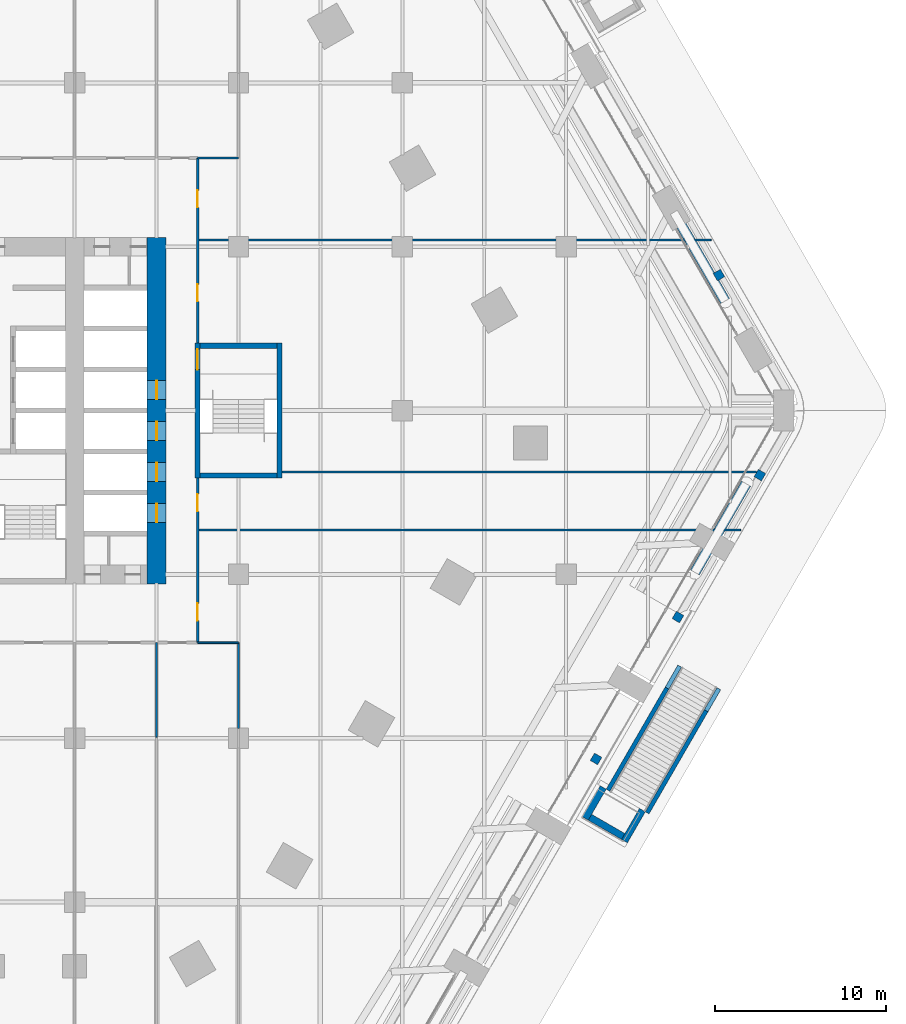
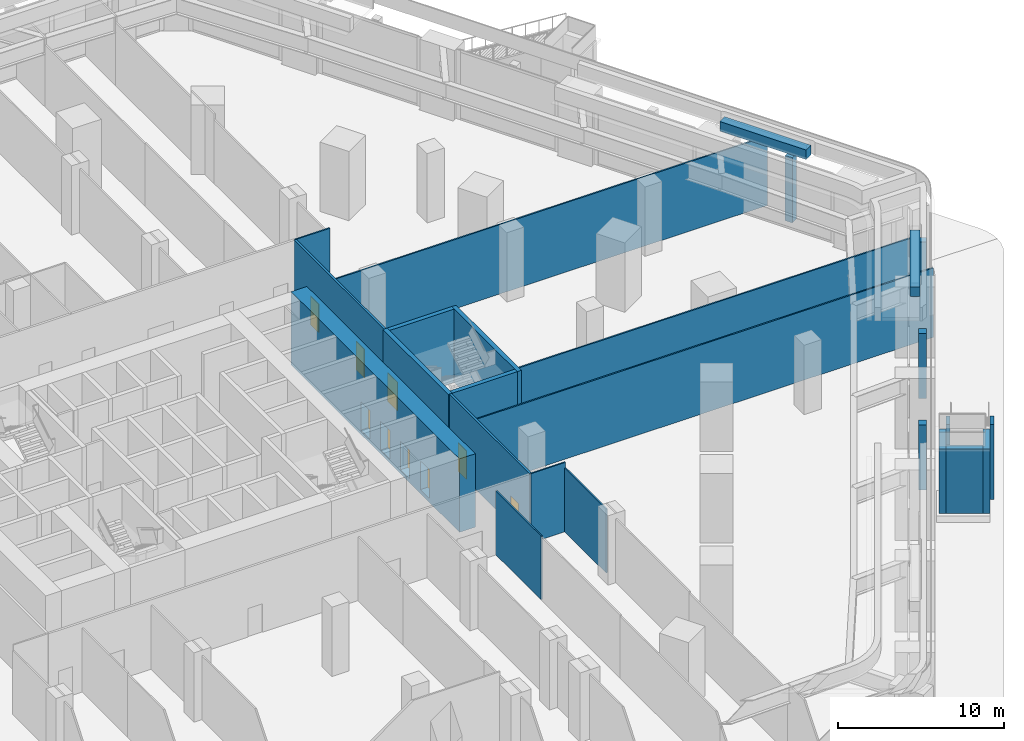
# One storey, part 22 of 34: 25 walls, 9 doors, 9 openings.
"""IFC4 building model written with IfcOpenShell, lengths in metres."""

from ifc_helpers import new_model, si_unit, direction, frame, frame_2d, origin, place, context, subcontext, project, spatial, polyline, rectangle, outline, extrude, material, layer, layer_set, type_object, element, fill, save


model = new_model("IFC4")

# Units and contexts
model_context = context("Model", 3, precision=1e-05, world=origin(), true_north=direction((0.0, 1.0)))
body_context = subcontext(model_context, "Body", "Model", "MODEL_VIEW")
ifc_project = project(units=[si_unit("LENGTHUNIT", "METRE"), si_unit("AREAUNIT", "SQUARE_METRE"), si_unit("VOLUMEUNIT", "CUBIC_METRE"), si_unit("PLANEANGLEUNIT", "RADIAN"), si_unit("MASSUNIT", "GRAM", prefix="KILO")], contexts=[model_context])

# Site, building, storey
site_placement = place(None, origin())
site = spatial("IfcSite", under=ifc_project, at=site_placement, CompositionType="ELEMENT")
building_placement = place(site_placement, origin())
building = spatial("IfcBuilding", under=site, at=building_placement, Name="Kolab Exchange Tower", CompositionType="ELEMENT")
storey_placement = place(building_placement, frame((0.0, 0.0, 7.0)))
storey = spatial("IfcBuildingStorey", under=building, at=storey_placement, Name="L01", CompositionType="ELEMENT", Elevation=7.0)

# Wall, openings, doors
ifc_material_1 = material(Name="Concrete C80/95", Category="concrete")
ifc_layer_1 = layer(ifc_material_1, 1.10009765625)
ifc_layer_set_1 = layer_set([ifc_layer_1], Name="Concrete C80/95")
wall_type_1 = type_object("IfcWallType", Name="CORE WALL 1100 C80/95", PredefinedType="SHEAR", material=ifc_layer_set_1)
wall_1_placement = place(storey_placement, frame((14.39990234375, -10.14990234375, -0.300048828125), z_axis=(0.0, 0.0, 1.0), x_axis=(0.0, 1.0, 0.0)))
wall_1 = element("IfcWall", 1, at=wall_1_placement, inside=storey, type_object=wall_type_1, Name="wall/L01/core/081", PredefinedType="SHEAR", context=body_context, shape_type="SweptSolid", body=[
    extrude(rectangle(XDim=20.2998046875, YDim=1.10009765625, at=frame_2d((10.14990234375, 0.0))), origin(), (0.0, 0.0, 1.0), 5.400146484375),
])
opening_1_placement = place(wall_1_placement, frame((3.60009765625, 0.0, 0.300048828125)))
opening_1 = element("IfcOpeningElement", 2, at=opening_1_placement, cuts=wall_1, Name="Opening LD1-013", PredefinedType="OPENING", context=body_context, shape_type="SweptSolid", body=[
    extrude(rectangle(XDim=1.10009765625, YDim=2.10009765625, at=frame_2d((0.550048828125, 1.050048828125))), frame((0.0, 0.56005859375, 0.0), z_axis=(0.0, -1.0, 0.0), x_axis=(1.0, 0.0, 0.0)), (0.0, 0.0, 1.0), 1.1201171875),
])
opening_2_placement = place(wall_1_placement, frame((6.0, 0.0, 0.300048828125)))
opening_2 = element("IfcOpeningElement", 3, at=opening_2_placement, cuts=wall_1, Name="Opening LD1-014", PredefinedType="OPENING", context=body_context, shape_type="SweptSolid", body=[
    extrude(rectangle(XDim=1.10009765625, YDim=2.10009765625, at=frame_2d((0.550048828125, 1.050048828125))), frame((0.0, 0.56005859375, 0.0), z_axis=(0.0, -1.0, 0.0), x_axis=(1.0, 0.0, 0.0)), (0.0, 0.0, 1.0), 1.1201171875),
])
opening_3_placement = place(wall_1_placement, frame((8.39990234375, 0.0, 0.300048828125)))
opening_3 = element("IfcOpeningElement", 4, at=opening_3_placement, cuts=wall_1, Name="Opening LD1-015", PredefinedType="OPENING", context=body_context, shape_type="SweptSolid", body=[
    extrude(rectangle(XDim=1.10009765625, YDim=2.10009765625, at=frame_2d((0.550048828125, 1.050048828125))), frame((0.0, 0.56005859375, 0.0), z_axis=(0.0, -1.0, 0.0), x_axis=(1.0, 0.0, 0.0)), (0.0, 0.0, 1.0), 1.1201171875),
])
opening_4_placement = place(wall_1_placement, frame((10.800048828125, 0.0, 0.300048828125)))
opening_4 = element("IfcOpeningElement", 5, at=opening_4_placement, cuts=wall_1, Name="Opening LD1-016", PredefinedType="OPENING", context=body_context, shape_type="SweptSolid", body=[
    extrude(rectangle(XDim=1.10009765625, YDim=2.10009765625, at=frame_2d((0.550048828125, 1.050048828125))), frame((0.0, 0.56005859375, 0.0), z_axis=(0.0, -1.0, 0.0), x_axis=(1.0, 0.0, 0.0)), (0.0, 0.0, 1.0), 1.1201171875),
])
ifc_material_2 = material(Name="Stainless steel 316", Category="steel")
door_type_1 = type_object("IfcDoorType", Name="LANDING DOOR 1100 PASSENGER", OperationType="DOUBLE_DOOR_SLIDING", PredefinedType="DOOR", material=ifc_material_2)
door_1_placement = place(opening_1_placement, origin())
door_1 = element("IfcDoor", 6, at=door_1_placement, inside=storey, type_object=door_type_1, Name="Landing door LR1", OperationType="DOUBLE_DOOR_SLIDING", OverallHeight=2.10009765625, OverallWidth=1.10009765625, PredefinedType="DOOR", context=body_context, shape_type="SweptSolid", body=[
    extrude(rectangle(XDim=1.10009765625, YDim=2.10009765625, at=frame_2d((0.550048828125, 1.050048828125))), frame((0.0, 0.02490234375, 0.0), z_axis=(0.0, -1.0, 0.0), x_axis=(1.0, 0.0, 0.0)), (0.0, 0.0, 1.0), 0.050048828125),
])
fill(opening_1, door_1)
door_2_placement = place(opening_2_placement, origin())
door_2 = element("IfcDoor", 7, at=door_2_placement, inside=storey, type_object=door_type_1, Name="Landing door LR2", OperationType="DOUBLE_DOOR_SLIDING", OverallHeight=2.10009765625, OverallWidth=1.10009765625, PredefinedType="DOOR", context=body_context, shape_type="SweptSolid", body=[
    extrude(rectangle(XDim=1.10009765625, YDim=2.10009765625, at=frame_2d((0.550048828125, 1.050048828125))), frame((0.0, 0.02490234375, 0.0), z_axis=(0.0, -1.0, 0.0), x_axis=(1.0, 0.0, 0.0)), (0.0, 0.0, 1.0), 0.050048828125),
])
fill(opening_2, door_2)
door_3_placement = place(opening_3_placement, origin())
door_3 = element("IfcDoor", 8, at=door_3_placement, inside=storey, type_object=door_type_1, Name="Landing door LR3", OperationType="DOUBLE_DOOR_SLIDING", OverallHeight=2.10009765625, OverallWidth=1.10009765625, PredefinedType="DOOR", context=body_context, shape_type="SweptSolid", body=[
    extrude(rectangle(XDim=1.10009765625, YDim=2.10009765625, at=frame_2d((0.550048828125, 1.050048828125))), frame((0.0, 0.02490234375, 0.0), z_axis=(0.0, -1.0, 0.0), x_axis=(1.0, 0.0, 0.0)), (0.0, 0.0, 1.0), 0.050048828125),
])
fill(opening_3, door_3)
door_4_placement = place(opening_4_placement, origin())
door_4 = element("IfcDoor", 9, at=door_4_placement, inside=storey, type_object=door_type_1, Name="Landing door LR4", OperationType="DOUBLE_DOOR_SLIDING", OverallHeight=2.10009765625, OverallWidth=1.10009765625, PredefinedType="DOOR", context=body_context, shape_type="SweptSolid", body=[
    extrude(rectangle(XDim=1.10009765625, YDim=2.10009765625, at=frame_2d((0.550048828125, 1.050048828125))), frame((0.0, 0.02490234375, 0.0), z_axis=(0.0, -1.0, 0.0), x_axis=(1.0, 0.0, 0.0)), (0.0, 0.0, 1.0), 0.050048828125),
])
fill(opening_4, door_4)

# Walls
ifc_material_3 = material(Name="Gypsum board", Category="gypsum")
ifc_layer_2 = layer(ifc_material_3, 0.10009765625)
ifc_layer_set_2 = layer_set([ifc_layer_2], Name="Gypsum board")
wall_type_2 = type_object("IfcWallType", Name="PARTITION 100", PredefinedType="PARTITIONING", material=ifc_layer_set_2)
wall_2_placement = place(storey_placement, frame((19.199951171875, -18.639892578125, 0.0), z_axis=(0.0, 0.0, 1.0), x_axis=(0.0, 1.0, 0.0)))
element("IfcWall", 10, at=wall_2_placement, inside=storey, type_object=wall_type_2, Name="Partition 000", PredefinedType="PARTITIONING", context=body_context, shape_type="SweptSolid", body=[
    extrude(rectangle(XDim=5.039794921875, YDim=0.10009765625, at=frame_2d((2.52001953125, 0.0))), origin(), (0.0, 0.0, 1.0), 4.693115234375),
])
wall_3_placement = place(storey_placement, frame((14.39990234375, -19.1259765625, 0.0), z_axis=(0.0, 0.0, 1.0), x_axis=(0.0, 1.0, 0.0)))
element("IfcWall", 11, at=wall_3_placement, inside=storey, type_object=wall_type_2, Name="Partition 004", PredefinedType="PARTITIONING", context=body_context, shape_type="SweptSolid", body=[
    extrude(rectangle(XDim=5.52587890625, YDim=0.10009765625, at=frame_2d((2.762939453125, 0.0))), origin(), (0.0, 0.0, 1.0), 4.693115234375),
])
wall_4_placement = place(storey_placement, frame((16.800048828125, -13.60009765625, 0.0), z_axis=(0.0, 0.0, 1.0), x_axis=(1.0, 0.0, 0.0)))
element("IfcWall", 12, at=wall_4_placement, inside=storey, type_object=wall_type_2, Name="Partition 026", PredefinedType="PARTITIONING", context=body_context, shape_type="SweptSolid", body=[
    extrude(rectangle(XDim=2.39990234375, YDim=0.10009765625, at=frame_2d((1.199951171875, 0.0))), origin(), (0.0, 0.0, 1.0), 5.10009765625),
])
wall_5_placement = place(storey_placement, frame((16.800048828125, -7.0, 0.0), z_axis=(0.0, 0.0, 1.0), x_axis=(1.0, 0.0, 0.0)))
element("IfcWall", 13, at=wall_5_placement, inside=storey, type_object=wall_type_2, Name="Partition 029", PredefinedType="PARTITIONING", context=body_context, shape_type="SweptSolid", body=[
    extrude(rectangle(XDim=31.820068359375, YDim=0.10009765625, at=frame_2d((15.91015625, 0.0))), origin(), (0.0, 0.0, 1.0), 5.10009765625),
])
wall_6_placement = place(storey_placement, frame((21.75, -3.60009765625, 0.0), z_axis=(0.0, 0.0, 1.0), x_axis=(1.0, 0.0, 0.0)))
element("IfcWall", 14, at=wall_6_placement, inside=storey, type_object=wall_type_2, Name="Partition 032", PredefinedType="PARTITIONING", context=body_context, shape_type="SweptSolid", body=[
    extrude(rectangle(XDim=27.7880859375, YDim=0.10009765625, at=frame_2d((13.89404296875, 0.0))), origin(), (0.0, 0.0, 1.0), 5.10009765625),
])
wall_7_placement = place(storey_placement, frame((16.800048828125, 10.0, 0.0), z_axis=(0.0, 0.0, 1.0), x_axis=(1.0, 0.0, 0.0)))
element("IfcWall", 15, at=wall_7_placement, inside=storey, type_object=wall_type_2, Name="Partition 035", PredefinedType="PARTITIONING", context=body_context, shape_type="SweptSolid", body=[
    extrude(rectangle(XDim=30.087890625, YDim=0.10009765625, at=frame_2d((15.0439453125, 0.0))), origin(), (0.0, 0.0, 1.0), 5.10009765625),
])
wall_8_placement = place(storey_placement, frame((16.800048828125, 14.800048828125, 0.0), z_axis=(0.0, 0.0, 1.0), x_axis=(1.0, 0.0, 0.0)))
element("IfcWall", 16, at=wall_8_placement, inside=storey, type_object=wall_type_2, Name="Partition 037", PredefinedType="PARTITIONING", context=body_context, shape_type="SweptSolid", body=[
    extrude(rectangle(XDim=2.39990234375, YDim=0.10009765625, at=frame_2d((1.199951171875, 0.0))), origin(), (0.0, 0.0, 1.0), 5.10009765625),
])

# Wall, openings, doors
ifc_layer_3 = layer(ifc_material_3, 0.14990234375)
ifc_layer_set_3 = layer_set([ifc_layer_3], Name="Gypsum board")
wall_type_3 = type_object("IfcWallType", Name="PARTITION 150 FIRE-RATED", PredefinedType="PARTITIONING", material=ifc_layer_set_3)
wall_9_placement = place(storey_placement, frame((16.800048828125, -13.60009765625, 0.0), z_axis=(0.0, 0.0, 1.0), x_axis=(0.0, 1.0, 0.0)))
wall_9 = element("IfcWall", 17, at=wall_9_placement, inside=storey, type_object=wall_type_3, Name="Partition 002", PredefinedType="PARTITIONING", context=body_context, shape_type="SweptSolid", body=[
    extrude(rectangle(XDim=9.650146484375, YDim=0.14990234375, at=frame_2d((4.8251953125, 0.0))), origin(), (0.0, 0.0, 1.0), 5.10009765625),
])
opening_5_placement = place(wall_9_placement, frame((1.300048828125, 0.0, 0.0)))
opening_5 = element("IfcOpeningElement", 18, at=opening_5_placement, cuts=wall_9, Name="Opening D1-021", PredefinedType="OPENING", context=body_context, shape_type="SweptSolid", body=[
    extrude(rectangle(XDim=1.0, YDim=2.10009765625, at=frame_2d((0.5, 1.050048828125))), frame((0.0, 0.0849609375, 0.0), z_axis=(0.0, -1.0, 0.0), x_axis=(1.0, 0.0, 0.0)), (0.0, 0.0, 1.0), 0.169921875),
])
opening_6_placement = place(wall_9_placement, frame((7.699951171875, 0.0, 0.0)))
opening_6 = element("IfcOpeningElement", 19, at=opening_6_placement, cuts=wall_9, Name="Opening D1-022", PredefinedType="OPENING", context=body_context, shape_type="SweptSolid", body=[
    extrude(rectangle(XDim=1.0, YDim=2.10009765625, at=frame_2d((0.5, 1.050048828125))), frame((0.0, 0.0849609375, 0.0), z_axis=(0.0, -1.0, 0.0), x_axis=(1.0, 0.0, 0.0)), (0.0, 0.0, 1.0), 0.169921875),
])
ifc_material_4 = material(Name="Steel S235", Category="steel")
door_type_2 = type_object("IfcDoorType", Name="FLUSH DOOR 1000 FD60", OperationType="SINGLE_SWING_LEFT", PredefinedType="DOOR", material=ifc_material_4)
door_5_placement = place(opening_5_placement, frame((1.0, 0.0, 0.0), z_axis=(0.0, 0.0, 1.0), x_axis=(-1.0, 0.0, 0.0)))
door_5 = element("IfcDoor", 20, at=door_5_placement, inside=storey, type_object=door_type_2, Name="Door L01-061", OperationType="SINGLE_SWING_LEFT", OverallHeight=2.10009765625, OverallWidth=1.0, PredefinedType="DOOR", context=body_context, shape_type="SweptSolid", body=[
    extrude(rectangle(XDim=1.0, YDim=2.10009765625, at=frame_2d((0.5, 1.050048828125))), frame((0.0, 0.02490234375, 0.0), z_axis=(0.0, -1.0, 0.0), x_axis=(1.0, 0.0, 0.0)), (0.0, 0.0, 1.0), 0.050048828125),
])
fill(opening_5, door_5)
door_6_placement = place(opening_6_placement, frame((1.0, 0.0, 0.0), z_axis=(0.0, 0.0, 1.0), x_axis=(-1.0, 0.0, 0.0)))
door_6 = element("IfcDoor", 21, at=door_6_placement, inside=storey, type_object=door_type_2, Name="Door L01-062", OperationType="SINGLE_SWING_LEFT", OverallHeight=2.10009765625, OverallWidth=1.0, PredefinedType="DOOR", context=body_context, shape_type="SweptSolid", body=[
    extrude(rectangle(XDim=1.0, YDim=2.10009765625, at=frame_2d((0.5, 1.050048828125))), frame((0.0, 0.02490234375, 0.0), z_axis=(0.0, -1.0, 0.0), x_axis=(1.0, 0.0, 0.0)), (0.0, 0.0, 1.0), 0.050048828125),
])
fill(opening_6, door_6)

wall_10_placement = place(storey_placement, frame((16.800048828125, 3.949951171875, 0.0), z_axis=(0.0, 0.0, 1.0), x_axis=(0.0, 1.0, 0.0)))
wall_10 = element("IfcWall", 22, at=wall_10_placement, inside=storey, type_object=wall_type_3, Name="Partition 003", PredefinedType="PARTITIONING", context=body_context, shape_type="SweptSolid", body=[
    extrude(rectangle(XDim=10.85009765625, YDim=0.14990234375, at=frame_2d((5.425048828125, 0.0))), origin(), (0.0, 0.0, 1.0), 5.10009765625),
])
opening_7_placement = place(wall_10_placement, frame((2.449951171875, 0.0, 0.0)))
opening_7 = element("IfcOpeningElement", 23, at=opening_7_placement, cuts=wall_10, Name="Opening D1-023", PredefinedType="OPENING", context=body_context, shape_type="SweptSolid", body=[
    extrude(rectangle(XDim=1.0, YDim=2.10009765625, at=frame_2d((0.5, 1.050048828125))), frame((0.0, 0.0849609375, 0.0), z_axis=(0.0, -1.0, 0.0), x_axis=(1.0, 0.0, 0.0)), (0.0, 0.0, 1.0), 0.169921875),
])
opening_8_placement = place(wall_10_placement, frame((7.949951171875, 0.0, 0.0)))
opening_8 = element("IfcOpeningElement", 24, at=opening_8_placement, cuts=wall_10, Name="Opening D1-024", PredefinedType="OPENING", context=body_context, shape_type="SweptSolid", body=[
    extrude(rectangle(XDim=1.0, YDim=2.10009765625, at=frame_2d((0.5, 1.050048828125))), frame((0.0, 0.0849609375, 0.0), z_axis=(0.0, -1.0, 0.0), x_axis=(1.0, 0.0, 0.0)), (0.0, 0.0, 1.0), 0.169921875),
])
door_7_placement = place(opening_7_placement, frame((1.0, 0.0, 0.0), z_axis=(0.0, 0.0, 1.0), x_axis=(-1.0, 0.0, 0.0)))
door_7 = element("IfcDoor", 25, at=door_7_placement, inside=storey, type_object=door_type_2, Name="Door L01-063", OperationType="SINGLE_SWING_RIGHT", OverallHeight=2.10009765625, OverallWidth=1.0, PredefinedType="DOOR", context=body_context, shape_type="SweptSolid", body=[
    extrude(rectangle(XDim=1.0, YDim=2.10009765625, at=frame_2d((0.5, 1.050048828125))), frame((0.0, 0.02490234375, 0.0), z_axis=(0.0, -1.0, 0.0), x_axis=(1.0, 0.0, 0.0)), (0.0, 0.0, 1.0), 0.050048828125),
])
fill(opening_7, door_7)
door_8_placement = place(opening_8_placement, frame((1.0, 0.0, 0.0), z_axis=(0.0, 0.0, 1.0), x_axis=(-1.0, 0.0, 0.0)))
door_8 = element("IfcDoor", 26, at=door_8_placement, inside=storey, type_object=door_type_2, Name="Door L01-064", OperationType="SINGLE_SWING_LEFT", OverallHeight=2.10009765625, OverallWidth=1.0, PredefinedType="DOOR", context=body_context, shape_type="SweptSolid", body=[
    extrude(rectangle(XDim=1.0, YDim=2.10009765625, at=frame_2d((0.5, 1.050048828125))), frame((0.0, 0.02490234375, 0.0), z_axis=(0.0, -1.0, 0.0), x_axis=(1.0, 0.0, 0.0)), (0.0, 0.0, 1.0), 0.050048828125),
])
fill(opening_8, door_8)

# Walls
ifc_material_5 = material(Name="Granite facing", Category="masonry")
ifc_layer_4 = layer(ifc_material_5, 0.0400390625)
ifc_material_6 = material(Name="Concrete C40/50 precast", Category="concrete")
ifc_layer_5 = layer(ifc_material_6, 0.56005859375)
ifc_layer_set_4 = layer_set([ifc_layer_4, ifc_layer_5], Name="Concrete C40/50 precast")
wall_type_4 = type_object("IfcWallType", Name="PLANTER BOX 600 X 700 SOIL DEPTH 550", PredefinedType="USERDEFINED", material=ifc_layer_set_4)
for number, where, z_axis, x_axis, name in (
    (27, (44.707763671875, 11.615966796875, 5.39990234375), (0.0, 0.0, 1.0), (0.500007758305, -0.866020924479, 0.0), "Planter"),
    (28, (48.941162109375, -4.28369140625, 5.39990234375), (0.0, 0.0, 1.0), (-0.500007758305, -0.866020924479, 0.0), "Planter"),
):
    element("IfcWall", number, at=place(storey_placement, frame(where, z_axis=z_axis, x_axis=x_axis)), inside=storey, type_object=wall_type_4, Name=name, ObjectType="PLANTER", PredefinedType="USERDEFINED", context=body_context, shape_type="SweptSolid", body=[
        extrude(rectangle(XDim=6.0, YDim=0.60009765625, at=frame_2d((3.0, 0.0))), origin(), (0.0, 0.0, 1.0), 0.7001953125),
    ])
ifc_layer_6 = layer(ifc_material_5, 0.0400390625)
ifc_material_7 = material(Name="Concrete C40/50", Category="concrete")
ifc_layer_7 = layer(ifc_material_7, 0.2099609375)
ifc_layer_set_5 = layer_set([ifc_layer_6, ifc_layer_7], Name="Concrete C40/50")
wall_type_5 = type_object("IfcWallType", Name="STAIR CHEEK WALL 250", PredefinedType="SOLIDWALL", material=ifc_layer_set_5)
wall_11_placement = place(storey_placement, frame((47.34619140625, -16.29638671875, 0.0), z_axis=(0.0, 0.0, 1.0), x_axis=(-0.499993330357, -0.86602925447, 0.0)))
element("IfcWall", 29, at=wall_11_placement, inside=storey, type_object=wall_type_5, Name="Stair cheek wall", PredefinedType="SOLIDWALL", context=body_context, shape_type="SweptSolid", body=[
    extrude(outline(polyline([(0.0, 0.0), (8.39990234375, 0.0), (8.39990234375, 5.5), (0.0, 0.274169921875), (0.0, 0.0)])), frame((0.0, 0.125, 0.0), z_axis=(0.0, -1.0, 0.0), x_axis=(1.0, 0.0, 0.0)), (0.0, 0.0, 1.0), 0.25),
])
wall_12_placement = place(storey_placement, frame((45.05126953125, -14.971435546875, 0.0), z_axis=(0.0, 0.0, 1.0), x_axis=(-0.500015128309, -0.866016669275, 0.0)))
element("IfcWall", 30, at=wall_12_placement, inside=storey, type_object=wall_type_5, Name="Stair cheek wall", PredefinedType="SOLIDWALL", context=body_context, shape_type="SweptSolid", body=[
    extrude(outline(polyline([(0.0, 0.0), (8.400146484375, 0.0), (8.39990234375, 5.5), (0.0, 0.274169921875), (0.0, 0.0)])), frame((0.0, 0.125, 0.0), z_axis=(0.0, -1.0, 0.0), x_axis=(1.0, 0.0, 0.0)), (0.0, 0.0, 1.0), 0.25),
])
ifc_material_8 = material(Name="Concrete C50/60", Category="concrete")
ifc_layer_8 = layer(ifc_material_8, 0.300048828125)
ifc_layer_set_6 = layer_set([ifc_layer_8], Name="Concrete C50/60")
wall_type_6 = type_object("IfcWallType", Name="STAIR ENCLOSURE WALL 300 C50/60", PredefinedType="STANDARD", material=ifc_layer_set_6)
for number, where, z_axis, x_axis, name in (
    (31, (16.949951171875, -3.800048828125, -0.300048828125), (0.0, 0.0, 1.0), (1.0, 0.0, 0.0), "wall/L01/core/013"),
    (32, (16.949951171875, 3.800048828125, -0.300048828125), (0.0, 0.0, 1.0), (1.0, 0.0, 0.0), "wall/L01/core/041"),
):
    element("IfcWall", number, at=place(storey_placement, frame(where, z_axis=z_axis, x_axis=x_axis)), inside=storey, type_object=wall_type_6, Name=name, PredefinedType="STANDARD", context=body_context, shape_type="SweptSolid", body=[
        extrude(rectangle(XDim=4.5, YDim=0.300048828125, at=frame_2d((2.25, 0.0))), origin(), (0.0, 0.0, 1.0), 5.400146484375),
    ])

# Wall, opening, door
wall_13_placement = place(storey_placement, frame((16.800048828125, -3.949951171875, -0.300048828125), z_axis=(0.0, 0.0, 1.0), x_axis=(0.0, 1.0, 0.0)))
wall_13 = element("IfcWall", 33, at=wall_13_placement, inside=storey, type_object=wall_type_6, Name="wall/L01/core/082", PredefinedType="STANDARD", context=body_context, shape_type="SweptSolid", body=[
    extrude(rectangle(XDim=7.89990234375, YDim=0.300048828125, at=frame_2d((3.949951171875, 0.0))), origin(), (0.0, 0.0, 1.0), 5.400146484375),
])
opening_9_placement = place(wall_13_placement, frame((6.35009765625, 0.0, 0.300048828125)))
opening_9 = element("IfcOpeningElement", 34, at=opening_9_placement, cuts=wall_13, Name="Opening D4-011", PredefinedType="OPENING", context=body_context, shape_type="SweptSolid", body=[
    extrude(rectangle(XDim=1.199951171875, YDim=2.10009765625, at=frame_2d((0.60009765625, 1.050048828125))), frame((0.0, 0.16015625, 0.0), z_axis=(0.0, -1.0, 0.0), x_axis=(1.0, 0.0, 0.0)), (0.0, 0.0, 1.0), 0.320068359375),
])
door_type_3 = type_object("IfcDoorType", Name="STAIR DOOR 1200 EI 120", OperationType="SINGLE_SWING_LEFT", PredefinedType="DOOR", material=ifc_material_4)
door_9_placement = place(opening_9_placement, frame((1.199951171875, 0.0, 0.0), z_axis=(0.0, 0.0, 1.0), x_axis=(-1.0, 0.0, 0.0)))
door_9 = element("IfcDoor", 35, at=door_9_placement, inside=storey, type_object=door_type_3, Name="Stair 4 door", OperationType="SINGLE_SWING_RIGHT", OverallHeight=2.10009765625, OverallWidth=1.199951171875, PredefinedType="DOOR", context=body_context, shape_type="SweptSolid", body=[
    extrude(rectangle(XDim=1.199951171875, YDim=2.10009765625, at=frame_2d((0.60009765625, 1.050048828125))), frame((0.0, 0.02490234375, 0.0), z_axis=(0.0, -1.0, 0.0), x_axis=(1.0, 0.0, 0.0)), (0.0, 0.0, 1.0), 0.050048828125),
])
fill(opening_9, door_9)

# Walls
wall_14_placement = place(storey_placement, frame((21.60009765625, -3.949951171875, -0.300048828125), z_axis=(0.0, 0.0, 1.0), x_axis=(0.0, 1.0, 0.0)))
element("IfcWall", 36, at=wall_14_placement, inside=storey, type_object=wall_type_6, Name="wall/L01/core/083", PredefinedType="STANDARD", context=body_context, shape_type="SweptSolid", body=[
    extrude(rectangle(XDim=7.89990234375, YDim=0.300048828125, at=frame_2d((3.949951171875, 0.0))), origin(), (0.0, 0.0, 1.0), 5.400146484375),
])
ifc_layer_9 = layer(ifc_material_7, 0.39990234375)
ifc_layer_set_7 = layer_set([ifc_layer_9], Name="Concrete C40/50")
wall_type_7 = type_object("IfcWallType", Name="STAIR LANDING SUPPORT PIER 2100 X 400", PredefinedType="SOLIDWALL", material=ifc_layer_set_7)
for number, where, z_axis, x_axis, name in (
    (37, (42.86474609375, -23.408447265625, 0.449951171875), (0.0, 0.0, 1.0), (-0.500027713859, -0.866009402589, 0.0), "Stair landing support pier"),
    (38, (40.56982421875, -22.08349609375, 0.449951171875), (0.0, 0.0, 1.0), (-0.500027713859, -0.866009402589, 0.0), "Stair landing support pier"),
):
    element("IfcWall", number, at=place(storey_placement, frame(where, z_axis=z_axis, x_axis=x_axis)), inside=storey, type_object=wall_type_7, Name=name, PredefinedType="SOLIDWALL", context=body_context, shape_type="SweptSolid", body=[
        extrude(rectangle(XDim=2.10009765625, YDim=0.39990234375, at=frame_2d((1.050048828125, 0.0))), origin(), (0.0, 0.0, 1.0), 4.75),
    ])
wall_15_placement = place(storey_placement, frame((39.79296875, -23.828857421875, 0.449951171875), z_axis=(0.0, 0.0, 1.0), x_axis=(0.866017533419, -0.500013631625, 0.0)))
element("IfcWall", 39, at=wall_15_placement, inside=storey, type_object=wall_type_7, Name="Stair landing support pier", PredefinedType="SOLIDWALL", context=body_context, shape_type="SweptSolid", body=[
    extrude(rectangle(XDim=2.25, YDim=0.39990234375, at=frame_2d((1.125, 0.0))), origin(), (0.0, 0.0, 1.0), 4.75),
])
ifc_layer_10 = layer(ifc_material_5, 0.5)
ifc_layer_set_8 = layer_set([ifc_layer_10], Name="Granite facing")
wall_type_8 = type_object("IfcWallType", Name="STONE FACADE FIN 500 X 500", PredefinedType="SOLIDWALL", material=ifc_layer_set_8)
for number, where, z_axis, x_axis, name in (
    (40, (47.22509765625, 8.155517578125, 0.0), (0.0, 0.0, 1.0), (0.499919672301, -0.866071776036, 0.0), "Stone facade fin"),
    (41, (49.875, -3.5654296875, 0.0), (0.0, 0.0, 1.0), (-0.499919672301, -0.866071776036, 0.0), "Stone facade fin"),
    (42, (45.074951171875, -11.87939453125, 0.0), (0.0, 0.0, 1.0), (-0.499919672301, -0.866071776036, 0.0), "Stone facade fin"),
):
    element("IfcWall", number, at=place(storey_placement, frame(where, z_axis=z_axis, x_axis=x_axis)), inside=storey, type_object=wall_type_8, Name=name, PredefinedType="SOLIDWALL", context=body_context, shape_type="SweptSolid", body=[
        extrude(rectangle(XDim=0.5, YDim=0.5, at=frame_2d((0.25, 0.0))), origin(), (0.0, 0.0, 1.0), 4.800048828125),
    ])
wall_16_placement = place(storey_placement, frame((40.27490234375, -20.193603515625, 0.0), z_axis=(0.0, 0.0, 1.0), x_axis=(-0.500131122175, -0.865949687125, 0.0)))
element("IfcWall", 43, at=wall_16_placement, inside=storey, type_object=wall_type_8, Name="Stone facade fin", PredefinedType="SOLIDWALL", context=body_context, shape_type="SweptSolid", body=[
    extrude(rectangle(XDim=0.499755859375, YDim=0.5, at=frame_2d((0.25, 0.0))), origin(), (0.0, 0.0, 1.0), 4.800048828125),
])

save(model, "model.ifc")
